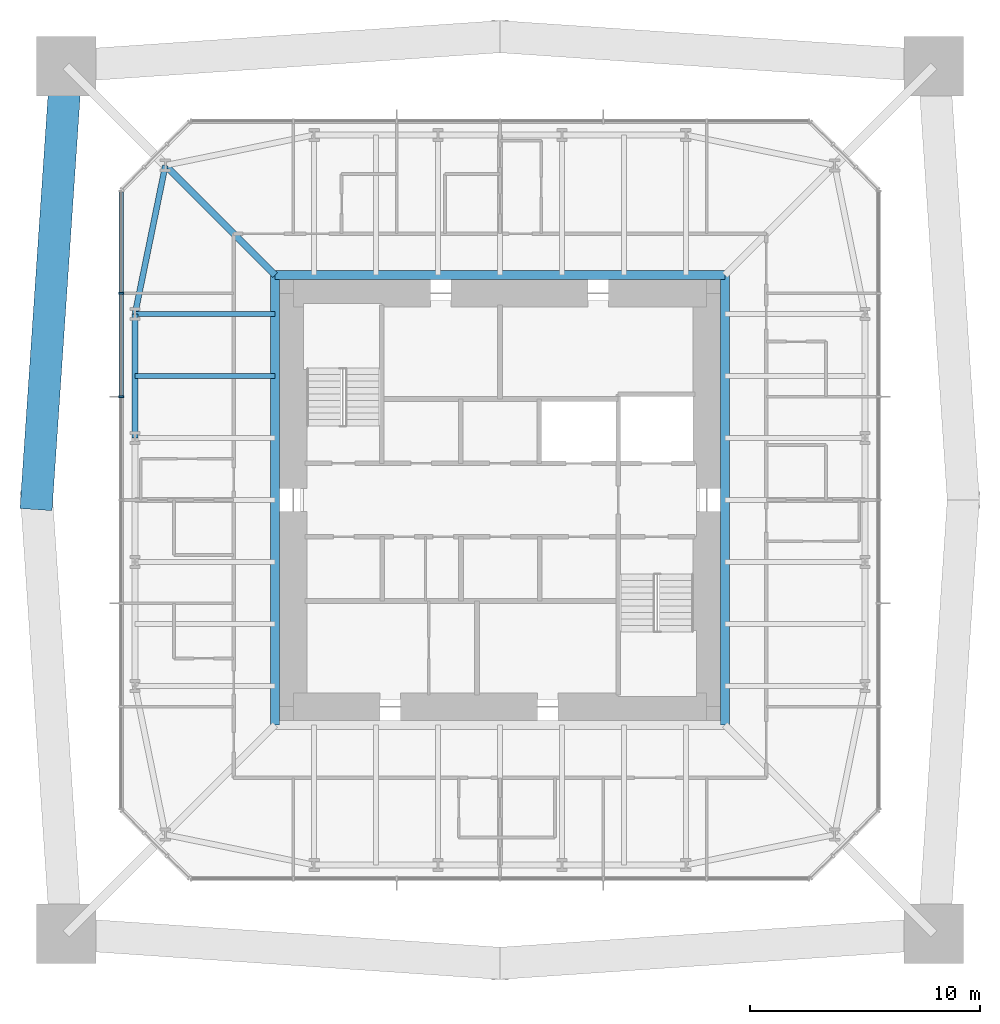
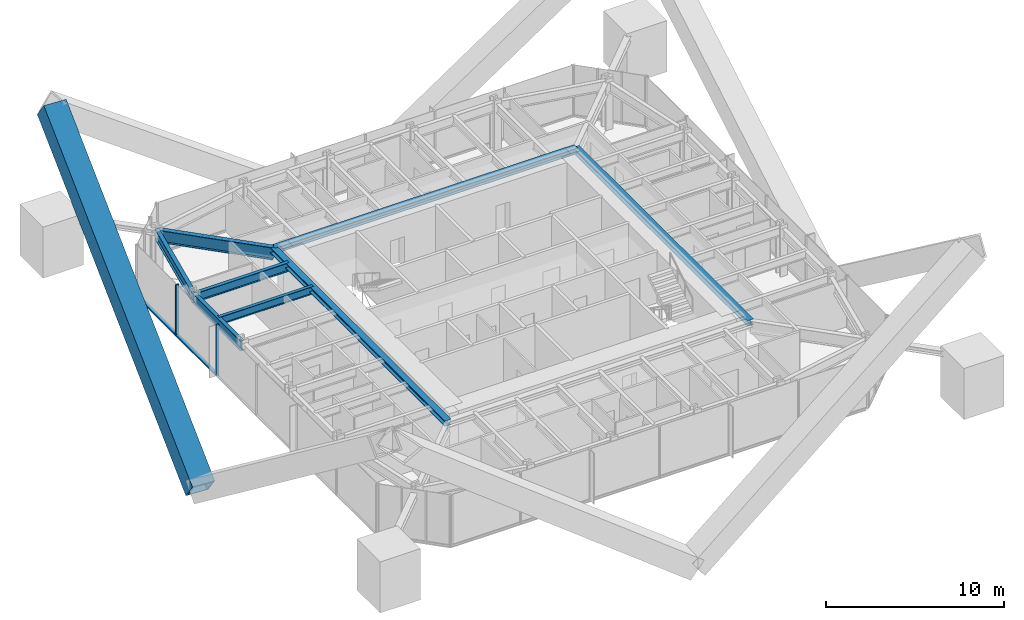
# One storey, part 4 of 11: 8 beams, 5 members, 1 element without a shape of its own.
"""IFC4 building model written with IfcOpenShell, lengths in metres."""

from ifc_helpers import new_model, si_unit, direction, frame, origin, origin_2d, place, context, subcontext, project, spatial, rectangle, hollow_rectangle, i_section, extrude, material, material_profile, profile_set, type_object, element, aggregate, save


model = new_model("IFC4")

# Units and contexts
model_context = context("Model", 3, precision=1e-05, world=origin(), true_north=direction((0.0, 1.0)))
body_context = subcontext(model_context, "Body", "Model", "MODEL_VIEW")
ifc_project = project(units=[si_unit("LENGTHUNIT", "METRE"), si_unit("AREAUNIT", "SQUARE_METRE"), si_unit("VOLUMEUNIT", "CUBIC_METRE"), si_unit("PLANEANGLEUNIT", "RADIAN"), si_unit("MASSUNIT", "GRAM", prefix="KILO")], contexts=[model_context])

# Site, building, storey
site_placement = place(None, origin())
site = spatial("IfcSite", under=ifc_project, at=site_placement, CompositionType="ELEMENT")
building_placement = place(site_placement, origin())
building = spatial("IfcBuilding", under=site, at=building_placement, Name="Iwan Alto Co-Living Towers", CompositionType="ELEMENT")
storey_placement = place(building_placement, frame((0.0, 0.0, 229.0)))
storey = spatial("IfcBuildingStorey", under=building, at=storey_placement, Name="L62", CompositionType="ELEMENT", Elevation=229.0)

# Curtain wall, members
ifc_material_1 = material(Name="Bronze aluminium unitised frame", Category="aluminium")
curtain_wall_type = type_object("IfcCurtainWallType", Name="CURTAIN WALL CW-A", PredefinedType="NOTDEFINED", material=ifc_material_1)
curtain_wall_placement = place(storey_placement, origin())
curtain_wall = element("IfcCurtainWall", 1, at=curtain_wall_placement, inside=storey, type_object=curtain_wall_type, Name="T1 curtain wall W L62", PredefinedType="NOTDEFINED")
ifc_material_2 = material(Name="Aluminium 6063-T6 bronze anodised", Category="aluminium")
ifc_material_profile_1 = material_profile(ifc_material_2, rectangle(XDim=0.199951171875, YDim=0.080078125, at=origin_2d()), Name="AL 80X200")
ifc_profile_set_1 = profile_set([ifc_material_profile_1], Name="Aluminium 6063-T6 bronze anodised")
member_type_1 = type_object("IfcMemberType", Name="CW-A MULLION 80X200", PredefinedType="MULLION", material=ifc_profile_set_1)
member_1_placement = place(storey_placement, frame((-16.5, 9.0, 0.0), z_axis=(0.0, 0.0, 1.0), x_axis=(1.0, 0.0, 0.0)))
member_1 = element("IfcMember", 2, at=member_1_placement, type_object=member_type_1, Name="CW-A mullion 2", PredefinedType="MULLION", context=body_context, shape_type="SweptSolid", body=[
    extrude(rectangle(XDim=0.199951171875, YDim=0.080078125, at=origin_2d()), origin(), (0.0, 0.0, 1.0), 3.5),
])
member_2_placement = place(storey_placement, frame((-16.5, 4.5, 0.0), z_axis=(0.0, 0.0, 1.0), x_axis=(1.0, 0.0, 0.0)))
member_2 = element("IfcMember", 3, at=member_2_placement, type_object=member_type_1, Name="CW-A mullion 3", PredefinedType="MULLION", context=body_context, shape_type="SweptSolid", body=[
    extrude(rectangle(XDim=0.199951171875, YDim=0.080078125, at=origin_2d()), origin(), (0.0, 0.0, 1.0), 3.5),
])
ifc_material_3 = material(Name="Aluminium 6063-T6 bronze anodised", Category="aluminium")
ifc_material_profile_2 = material_profile(ifc_material_3, rectangle(XDim=0.199951171875, YDim=0.10009765625, at=origin_2d()), Name="AL 200X100")
ifc_profile_set_2 = profile_set([ifc_material_profile_2], Name="Aluminium 6063-T6 bronze anodised")
member_type_2 = type_object("IfcMemberType", Name="CW-A TRANSOM 200X100", PredefinedType="USERDEFINED", material=ifc_profile_set_2)
member_3_placement = place(storey_placement, frame((-16.5, 13.419921875, 0.050048828125), z_axis=(0.0, -1.0, 0.0), x_axis=(1.0, 0.0, 0.0)))
member_3 = element("IfcMember", 4, at=member_3_placement, type_object=member_type_2, Name="CW-A transom 1.1", ObjectType="TRANSOM", PredefinedType="USERDEFINED", context=body_context, shape_type="SweptSolid", body=[
    extrude(rectangle(XDim=0.199951171875, YDim=0.10009765625, at=origin_2d()), origin(), (0.0, 0.0, 1.0), 4.3798828125),
])
member_4_placement = place(storey_placement, frame((-16.5, 8.9599609375, 0.050048828125), z_axis=(0.0, -1.0, 0.0), x_axis=(1.0, 0.0, 0.0)))
member_4 = element("IfcMember", 5, at=member_4_placement, type_object=member_type_2, Name="CW-A transom 2.1", ObjectType="TRANSOM", PredefinedType="USERDEFINED", context=body_context, shape_type="SweptSolid", body=[
    extrude(rectangle(XDim=0.199951171875, YDim=0.10009765625, at=origin_2d()), origin(), (0.0, 0.0, 1.0), 4.419921875),
])
aggregate(curtain_wall, [member_1, member_2, member_3, member_4])

# Beams
ifc_material_4 = material(Name="Steel ASTM A992 Gr 50", Category="steel")
ifc_material_profile_3 = material_profile(ifc_material_4, i_section(OverallWidth=0.398681640625, OverallDepth=0.385986328125, WebThickness=0.02099609375, FlangeThickness=0.033203125, at=origin_2d()), Name="W14X176")
ifc_profile_set_3 = profile_set([ifc_material_profile_3], Name="Steel ASTM A992 Gr 50")
beam_type_1 = type_object("IfcBeamType", Name="T1 CORE LEDGER BEAM W14X176", PredefinedType="BEAM", material=ifc_profile_set_3)
for number, where, z_axis, x_axis, name in (
    (6, (9.79931640625, -9.79931640625, 3.076904296875), (0.0, 1.0, 0.0), (-1.0, 0.0, 0.0), "T1 core ledger beam E L63"),
    (7, (9.79931640625, 9.79931640625, 3.076904296875), (-1.0, 0.0, 0.0), (0.0, -1.0, 0.0), "T1 core ledger beam N L63"),
    (8, (-9.79931640625, 9.79931640625, 3.076904296875), (0.0, -1.0, 0.0), (1.0, 0.0, 0.0), "T1 core ledger beam W L63"),
):
    element("IfcBeam", number, at=place(storey_placement, frame(where, z_axis=z_axis, x_axis=x_axis)), inside=storey, type_object=beam_type_1, Name=name, PredefinedType="BEAM", context=body_context, shape_type="SweptSolid", body=[
        extrude(i_section(OverallWidth=0.398681640625, OverallDepth=0.385986328125, WebThickness=0.02099609375, FlangeThickness=0.033203125, at=origin_2d()), origin(), (0.0, 0.0, 1.0), 19.5986328125),
    ])
ifc_material_5 = material(Name="Steel ASTM A992 Gr 50", Category="steel")
ifc_material_profile_4 = material_profile(ifc_material_5, i_section(OverallWidth=0.2919921875, OverallDepth=0.8408203125, WebThickness=0.0146484375, FlangeThickness=0.021728515625, at=origin_2d()), Name="W33X130")
ifc_profile_set_4 = profile_set([ifc_material_profile_4], Name="Steel ASTM A992 Gr 50")
beam_type_2 = type_object("IfcBeamType", Name="T1 CORNER GIRDER W33X130", PredefinedType="BEAM", material=ifc_profile_set_4)
beam_1_placement = place(storey_placement, frame((-14.57568359375, 14.57568359375, 2.849609375), z_axis=(0.707106781187, -0.707106781187, 0.0), x_axis=(0.707106781187, 0.707106781187, 0.0)))
element("IfcBeam", 9, at=beam_1_placement, inside=storey, type_object=beam_type_2, Name="T1 corner girder CNW L63", PredefinedType="BEAM", context=body_context, shape_type="SweptSolid", body=[
    extrude(i_section(OverallWidth=0.2919921875, OverallDepth=0.8408203125, WebThickness=0.0146484375, FlangeThickness=0.021728515625, at=origin_2d()), origin(), (0.0, 0.0, 1.0), 6.7548828125),
])
ifc_material_6 = material(Name="Steel ASTM A992 Gr 50", Category="steel")
ifc_material_profile_5 = material_profile(ifc_material_6, i_section(OverallWidth=0.25390625, OverallDepth=0.683349609375, WebThickness=0.012451171875, FlangeThickness=0.018798828125, at=origin_2d()), Name="W27X94")
ifc_profile_set_5 = profile_set([ifc_material_profile_5], Name="Steel ASTM A992 Gr 50")
beam_type_3 = type_object("IfcBeamType", Name="T1 EDGE BEAM W27X94", PredefinedType="BEAM", material=ifc_profile_set_5)
beam_2_placement = place(storey_placement, frame((-14.57568359375, 14.57568359375, 2.928466796875), z_axis=(-0.200347889618, -0.979724820103, 0.0), x_axis=(0.979724820103, -0.200347889618, 0.0)))
element("IfcBeam", 10, at=beam_2_placement, inside=storey, type_object=beam_type_3, Name="T1 edge beam CNW L63", PredefinedType="BEAM", context=body_context, shape_type="SweptSolid", body=[
    extrude(i_section(OverallWidth=0.25390625, OverallDepth=0.683349609375, WebThickness=0.012451171875, FlangeThickness=0.018798828125, at=origin_2d()), origin(), (0.0, 0.0, 1.0), 6.609619140625),
])
beam_3_placement = place(storey_placement, frame((-15.89990234375, 8.10009765625, 2.928466796875), z_axis=(0.0, -1.0, 0.0), x_axis=(1.0, 0.0, 0.0)))
element("IfcBeam", 11, at=beam_3_placement, inside=storey, type_object=beam_type_3, Name="T1 edge beam W1 L63", PredefinedType="BEAM", context=body_context, shape_type="SweptSolid", body=[
    extrude(i_section(OverallWidth=0.25390625, OverallDepth=0.683349609375, WebThickness=0.012451171875, FlangeThickness=0.018798828125, at=origin_2d()), origin(), (0.0, 0.0, 1.0), 5.400146484375),
])

# Member
ifc_material_7 = material(Name="Steel ASTM A572 Gr 50", Category="steel")
ifc_material_profile_6 = material_profile(ifc_material_7, hollow_rectangle(XDim=1.39990234375, YDim=1.39990234375, WallThickness=0.10009765625, at=origin_2d()), Name="BOX 1400X1400X100")
ifc_profile_set_6 = profile_set([ifc_material_profile_6], Name="Steel ASTM A572 Gr 50")
member_type_3 = type_object("IfcMemberType", Name="T1 MEGA BRACE BOX 1400X1400X100", PredefinedType="BRACE", material=ifc_profile_set_6)
member_5_placement = place(storey_placement, frame((-20.181640625, 0.0, -3.7158203125), z_axis=(0.054117989021, 0.797998095626, 0.600225193274), x_axis=(-0.997708316186, 0.067661775131, 0.0)))
element("IfcMember", 12, at=member_5_placement, inside=storey, type_object=member_type_3, Name="T1 mega brace Z4A W 2 upper", PredefinedType="BRACE", context=body_context, shape_type="SweptSolid", body=[
    extrude(hollow_rectangle(XDim=1.39990234375, YDim=1.39990234375, WallThickness=0.10009765625, at=origin_2d()), origin(), (0.0, 0.0, 1.0), 23.68408203125),
])

# Beams
ifc_material_8 = material(Name="Steel ASTM A992 Gr 50", Category="steel")
ifc_material_profile_7 = material_profile(ifc_material_8, i_section(OverallWidth=0.228271484375, OverallDepth=0.607177734375, WebThickness=0.01123046875, FlangeThickness=0.017333984375, at=origin_2d()), Name="W24X76")
ifc_profile_set_7 = profile_set([ifc_material_profile_7], Name="Steel ASTM A992 Gr 50")
beam_type_4 = type_object("IfcBeamType", Name="T1 RADIAL BEAM W24X76", PredefinedType="BEAM", material=ifc_profile_set_7)
beam_4_placement = place(storey_placement, frame((-15.89990234375, 8.10009765625, 2.966552734375), z_axis=(1.0, 0.0, 0.0), x_axis=(0.0, 1.0, 0.0)))
element("IfcBeam", 13, at=beam_4_placement, inside=storey, type_object=beam_type_4, Name="T1 radial beam W1 L63", PredefinedType="BEAM", context=body_context, shape_type="SweptSolid", body=[
    extrude(i_section(OverallWidth=0.228271484375, OverallDepth=0.607177734375, WebThickness=0.01123046875, FlangeThickness=0.017333984375, at=origin_2d()), origin(), (0.0, 0.0, 1.0), 6.1005859375),
])
ifc_material_9 = material(Name="Steel ASTM A992 Gr 50", Category="steel")
ifc_material_profile_8 = material_profile(ifc_material_9, i_section(OverallWidth=0.209228515625, OverallDepth=0.533447265625, WebThickness=0.01025390625, FlangeThickness=0.015625, at=origin_2d()), Name="W21X62")
ifc_profile_set_8 = profile_set([ifc_material_profile_8], Name="Steel ASTM A992 Gr 50")
beam_type_5 = type_object("IfcBeamType", Name="T1 SECONDARY BEAM W21X62", PredefinedType="JOIST", material=ifc_profile_set_8)
beam_5_placement = place(storey_placement, frame((-15.89990234375, 5.39990234375, 3.00341796875), z_axis=(1.0, 0.0, 0.0), x_axis=(0.0, 1.0, 0.0)))
element("IfcBeam", 14, at=beam_5_placement, inside=storey, type_object=beam_type_5, Name="T1 secondary beam W1 L63", PredefinedType="JOIST", context=body_context, shape_type="SweptSolid", body=[
    extrude(i_section(OverallWidth=0.209228515625, OverallDepth=0.533447265625, WebThickness=0.01025390625, FlangeThickness=0.015625, at=origin_2d()), origin(), (0.0, 0.0, 1.0), 6.1005859375),
])

save(model, "model.ifc")
